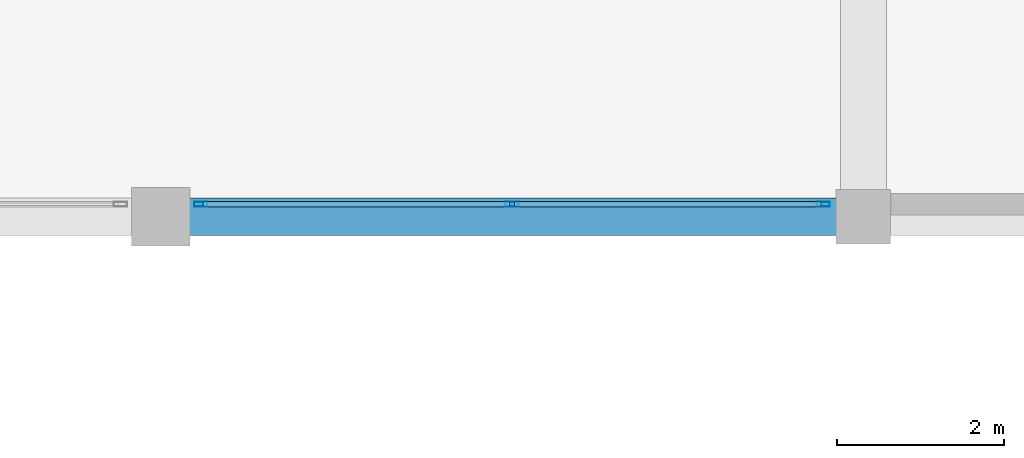
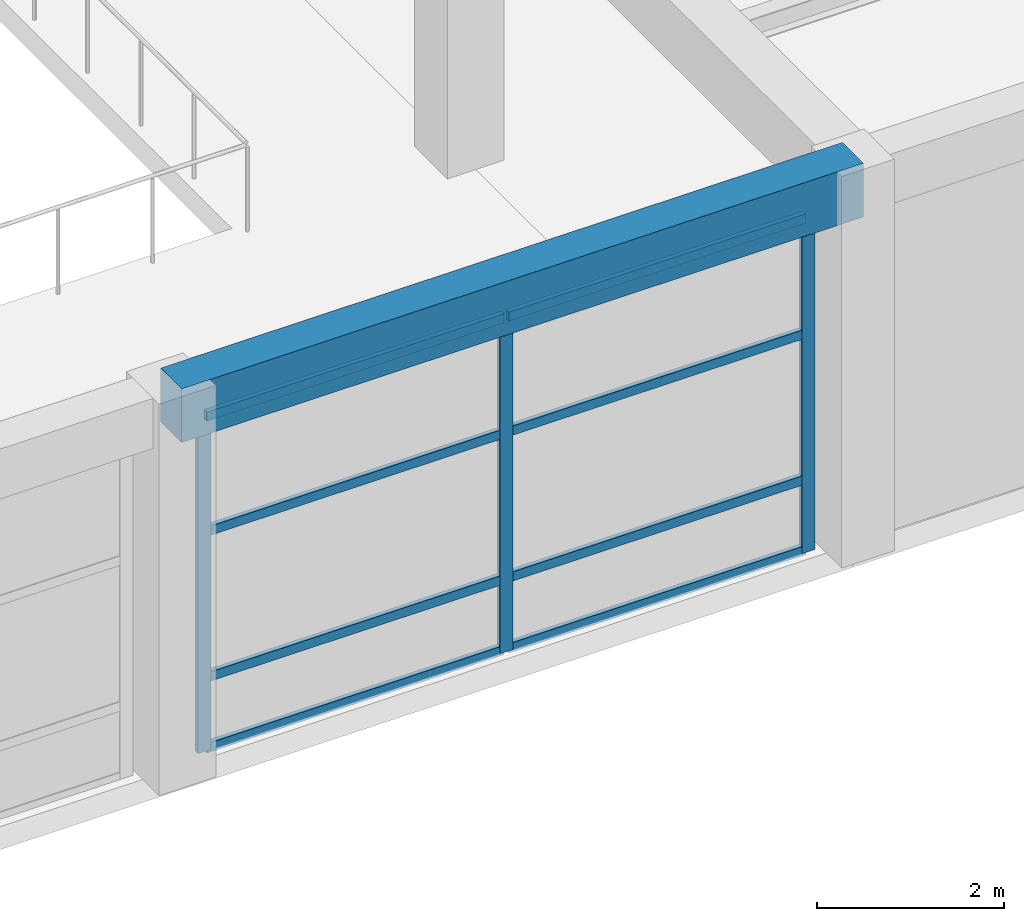
# One storey, part 26 of 95: 11 members, 1 beam, 1 element without a shape of its own.
"""IFC4 building model written with IfcOpenShell, lengths in metres."""

from ifc_helpers import new_model, si_unit, direction, frame, origin, origin_2d, place, context, subcontext, project, spatial, rectangle, hollow_rectangle, extrude, material, material_profile, profile_set, type_object, element, aggregate, save


model = new_model("IFC4")

# Units and contexts
model_context = context("Model", 3, precision=1e-05, world=origin(), true_north=direction((0.0, 1.0)))
body_context = subcontext(model_context, "Body", "Model", "MODEL_VIEW")
ifc_project = project(units=[si_unit("LENGTHUNIT", "METRE"), si_unit("AREAUNIT", "SQUARE_METRE"), si_unit("VOLUMEUNIT", "CUBIC_METRE"), si_unit("PLANEANGLEUNIT", "RADIAN"), si_unit("MASSUNIT", "GRAM", prefix="KILO")], contexts=[model_context])

# Site, building, storey
site_placement = place(None, origin())
site = spatial("IfcSite", under=ifc_project, at=site_placement, CompositionType="ELEMENT")
building_placement = place(site_placement, origin())
building = spatial("IfcBuilding", under=site, at=building_placement, Name="Almacenes y Pasaje Nevantli", CompositionType="ELEMENT")
storey_placement = place(building_placement, frame((0.0, 0.0, 11.39990234375)))
storey = spatial("IfcBuildingStorey", under=building, at=storey_placement, Name="L03", CompositionType="ELEMENT", Elevation=11.39990234375)

# Beam
ifc_material_1 = material(Name="Concrete C35/45", Category="concrete")
ifc_material_profile_1 = material_profile(ifc_material_1, rectangle(XDim=0.449951171875, YDim=0.699951171875, at=origin_2d()), Name="RC-BM-450x700")
ifc_profile_set_1 = profile_set([ifc_material_profile_1], Name="Concrete C35/45")
beam_type = type_object("IfcBeamType", Name="BM-RC-450x700", PredefinedType="SPANDREL", material=ifc_profile_set_1)
beam_placement = place(storey_placement, frame((84.0, 0.0, 4.75), z_axis=(1.0, 0.0, 0.0), x_axis=(0.0, 1.0, 0.0)))
element("IfcBeam", 1, at=beam_placement, inside=storey, type_object=beam_type, Name="L03 East-West Reinforced Concrete Beam #2244", PredefinedType="SPANDREL", context=body_context, shape_type="SweptSolid", body=[
    extrude(rectangle(XDim=0.449951171875, YDim=0.699951171875, at=origin_2d()), origin(), (0.0, 0.0, 1.0), 8.39990234375),
])

# Curtain wall, members
ifc_material_2 = material(Name="Thermally Broken Aluminium and Low-E Glass", Category="aluminium")
curtain_wall_type = type_object("IfcCurtainWallType", Name="CW-STF-ARCADE", PredefinedType="USERDEFINED", material=ifc_material_2)
curtain_wall_placement = place(storey_placement, origin())
curtain_wall = element("IfcCurtainWall", 2, at=curtain_wall_placement, inside=storey, type_object=curtain_wall_type, Name="L03 South Arcade Portal Curtain Wall Bay 11", ObjectType="STOREFRONT GLAZING", PredefinedType="USERDEFINED")
ifc_material_3 = material(Name="Thermally Broken Anodized Aluminium", Category="aluminium")
ifc_material_profile_2 = material_profile(ifc_material_3, hollow_rectangle(XDim=0.06005859375, YDim=0.159912109375, WallThickness=0.00390625, at=origin_2d()), Name="ALU-MUL-60x160")
ifc_profile_set_2 = profile_set([ifc_material_profile_2], Name="Thermally Broken Anodized Aluminium")
member_type_1 = type_object("IfcMemberType", Name="CW-MUL-180", PredefinedType="MULLION", material=ifc_profile_set_2)
member_1_placement = place(storey_placement, frame((84.47998046875, 0.14990234375, 0.0), z_axis=(0.0, 0.0, 1.0), x_axis=(0.0, 1.0, 0.0)))
member_1 = element("IfcMember", 3, at=member_1_placement, type_object=member_type_1, Name="CW-L03-047 mullion 1", PredefinedType="MULLION", context=body_context, shape_type="SweptSolid", body=[
    extrude(hollow_rectangle(XDim=0.06005859375, YDim=0.159912109375, WallThickness=0.00390625, at=origin_2d()), origin(), (0.0, 0.0, 1.0), 4.380126953125),
])
member_2_placement = place(storey_placement, frame((88.199951171875, 0.14990234375, 0.0), z_axis=(0.0, 0.0, 1.0), x_axis=(0.0, 1.0, 0.0)))
member_2 = element("IfcMember", 4, at=member_2_placement, type_object=member_type_1, Name="CW-L03-047 mullion 2", PredefinedType="MULLION", context=body_context, shape_type="SweptSolid", body=[
    extrude(hollow_rectangle(XDim=0.06005859375, YDim=0.159912109375, WallThickness=0.00390625, at=origin_2d()), origin(), (0.0, 0.0, 1.0), 4.380126953125),
])
member_3_placement = place(storey_placement, frame((91.919921875, 0.14990234375, 0.0), z_axis=(0.0, 0.0, 1.0), x_axis=(0.0, 1.0, 0.0)))
member_3 = element("IfcMember", 5, at=member_3_placement, type_object=member_type_1, Name="CW-L03-047 mullion 3", PredefinedType="MULLION", context=body_context, shape_type="SweptSolid", body=[
    extrude(hollow_rectangle(XDim=0.06005859375, YDim=0.159912109375, WallThickness=0.00390625, at=origin_2d()), origin(), (0.0, 0.0, 1.0), 4.380126953125),
])
ifc_material_4 = material(Name="Thermally Broken Anodized Aluminium", Category="aluminium")
ifc_material_profile_3 = material_profile(ifc_material_4, hollow_rectangle(XDim=0.06005859375, YDim=0.1201171875, WallThickness=0.00341796875, at=origin_2d()), Name="ALU-TRN-60x120")
ifc_profile_set_3 = profile_set([ifc_material_profile_3], Name="Thermally Broken Anodized Aluminium")
member_type_2 = type_object("IfcMemberType", Name="CW-TRN-130", PredefinedType="USERDEFINED", material=ifc_profile_set_3)
member_4_placement = place(storey_placement, frame((84.510009765625, 0.14990234375, 0.030029296875), z_axis=(1.0, 0.0, 0.0), x_axis=(0.0, 1.0, 0.0)))
member_4 = element("IfcMember", 6, at=member_4_placement, type_object=member_type_2, Name="CW-L03-047 transom 1.1", ObjectType="TRANSOM", PredefinedType="USERDEFINED", context=body_context, shape_type="SweptSolid", body=[
    extrude(hollow_rectangle(XDim=0.06005859375, YDim=0.1201171875, WallThickness=0.00341796875, at=origin_2d()), origin(), (0.0, 0.0, 1.0), 3.659912109375),
])
member_5_placement = place(storey_placement, frame((84.510009765625, 0.14990234375, 0.9501953125), z_axis=(1.0, 0.0, 0.0), x_axis=(0.0, 1.0, 0.0)))
member_5 = element("IfcMember", 7, at=member_5_placement, type_object=member_type_2, Name="CW-L03-047 transom 1.2", ObjectType="TRANSOM", PredefinedType="USERDEFINED", context=body_context, shape_type="SweptSolid", body=[
    extrude(hollow_rectangle(XDim=0.06005859375, YDim=0.1201171875, WallThickness=0.00341796875, at=origin_2d()), origin(), (0.0, 0.0, 1.0), 3.659912109375),
])
member_6_placement = place(storey_placement, frame((84.510009765625, 0.14990234375, 2.85009765625), z_axis=(1.0, 0.0, 0.0), x_axis=(0.0, 1.0, 0.0)))
member_6 = element("IfcMember", 8, at=member_6_placement, type_object=member_type_2, Name="CW-L03-047 transom 1.3", ObjectType="TRANSOM", PredefinedType="USERDEFINED", context=body_context, shape_type="SweptSolid", body=[
    extrude(hollow_rectangle(XDim=0.06005859375, YDim=0.1201171875, WallThickness=0.00341796875, at=origin_2d()), origin(), (0.0, 0.0, 1.0), 3.659912109375),
])
member_7_placement = place(storey_placement, frame((84.510009765625, 0.14990234375, 4.35009765625), z_axis=(1.0, 0.0, 0.0), x_axis=(0.0, 1.0, 0.0)))
member_7 = element("IfcMember", 9, at=member_7_placement, type_object=member_type_2, Name="CW-L03-047 transom 1.4", ObjectType="TRANSOM", PredefinedType="USERDEFINED", context=body_context, shape_type="SweptSolid", body=[
    extrude(hollow_rectangle(XDim=0.06005859375, YDim=0.1201171875, WallThickness=0.00341796875, at=origin_2d()), origin(), (0.0, 0.0, 1.0), 3.659912109375),
])
member_8_placement = place(storey_placement, frame((88.22998046875, 0.14990234375, 0.030029296875), z_axis=(1.0, 0.0, 0.0), x_axis=(0.0, 1.0, 0.0)))
member_8 = element("IfcMember", 10, at=member_8_placement, type_object=member_type_2, Name="CW-L03-047 transom 2.1", ObjectType="TRANSOM", PredefinedType="USERDEFINED", context=body_context, shape_type="SweptSolid", body=[
    extrude(hollow_rectangle(XDim=0.06005859375, YDim=0.1201171875, WallThickness=0.00341796875, at=origin_2d()), origin(), (0.0, 0.0, 1.0), 3.659912109375),
])
member_9_placement = place(storey_placement, frame((88.22998046875, 0.14990234375, 0.9501953125), z_axis=(1.0, 0.0, 0.0), x_axis=(0.0, 1.0, 0.0)))
member_9 = element("IfcMember", 11, at=member_9_placement, type_object=member_type_2, Name="CW-L03-047 transom 2.2", ObjectType="TRANSOM", PredefinedType="USERDEFINED", context=body_context, shape_type="SweptSolid", body=[
    extrude(hollow_rectangle(XDim=0.06005859375, YDim=0.1201171875, WallThickness=0.00341796875, at=origin_2d()), origin(), (0.0, 0.0, 1.0), 3.659912109375),
])
member_10_placement = place(storey_placement, frame((88.22998046875, 0.14990234375, 2.85009765625), z_axis=(1.0, 0.0, 0.0), x_axis=(0.0, 1.0, 0.0)))
member_10 = element("IfcMember", 12, at=member_10_placement, type_object=member_type_2, Name="CW-L03-047 transom 2.3", ObjectType="TRANSOM", PredefinedType="USERDEFINED", context=body_context, shape_type="SweptSolid", body=[
    extrude(hollow_rectangle(XDim=0.06005859375, YDim=0.1201171875, WallThickness=0.00341796875, at=origin_2d()), origin(), (0.0, 0.0, 1.0), 3.659912109375),
])
member_11_placement = place(storey_placement, frame((88.22998046875, 0.14990234375, 4.35009765625), z_axis=(1.0, 0.0, 0.0), x_axis=(0.0, 1.0, 0.0)))
member_11 = element("IfcMember", 13, at=member_11_placement, type_object=member_type_2, Name="CW-L03-047 transom 2.4", ObjectType="TRANSOM", PredefinedType="USERDEFINED", context=body_context, shape_type="SweptSolid", body=[
    extrude(hollow_rectangle(XDim=0.06005859375, YDim=0.1201171875, WallThickness=0.00341796875, at=origin_2d()), origin(), (0.0, 0.0, 1.0), 3.659912109375),
])
aggregate(curtain_wall, [member_1, member_2, member_3, member_4, member_5, member_6, member_7, member_8, member_9, member_10, member_11])

save(model, "model.ifc")
